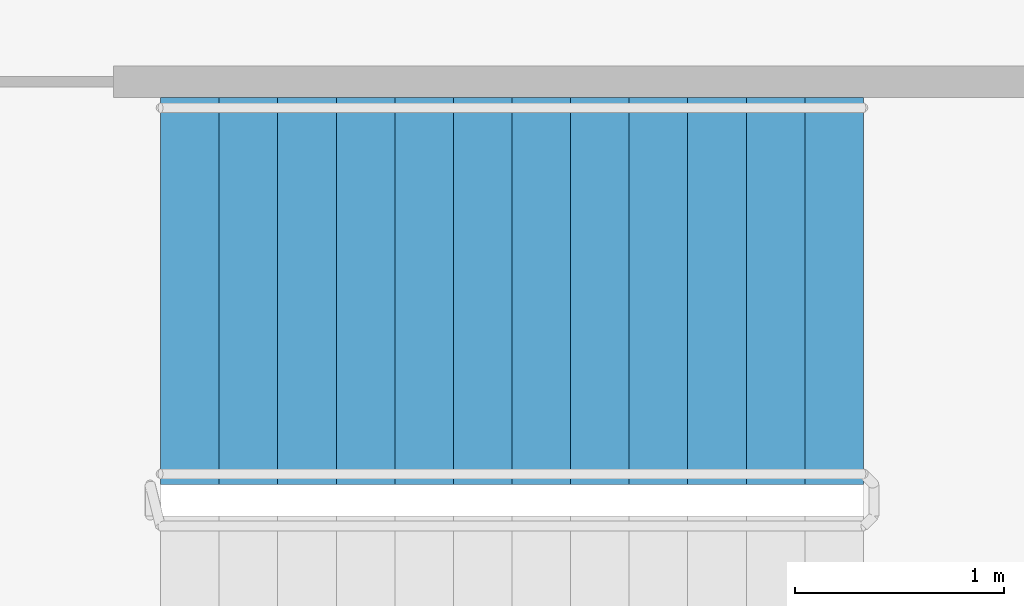
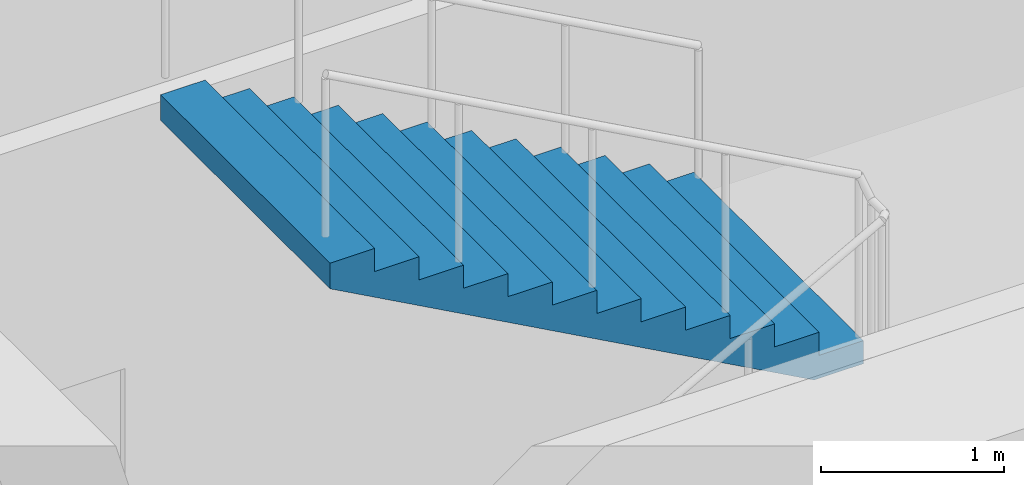
# One storey, part 8 of 10: 1 stair flight, 1 element without a shape of its own.
"""IFC4 building model written with IfcOpenShell, lengths in metres."""

from ifc_helpers import new_model, si_unit, direction, frame, origin, place, context, subcontext, project, spatial, polyline, outline, extrude, material, type_object, element, aggregate, save


model = new_model("IFC4")

# Units and contexts
model_context = context("Model", 3, precision=1e-05, world=origin(), true_north=direction((0.0, 1.0)))
body_context = subcontext(model_context, "Body", "Model", "MODEL_VIEW")
ifc_project = project(units=[si_unit("LENGTHUNIT", "METRE"), si_unit("AREAUNIT", "SQUARE_METRE"), si_unit("VOLUMEUNIT", "CUBIC_METRE"), si_unit("PLANEANGLEUNIT", "RADIAN"), si_unit("MASSUNIT", "GRAM", prefix="KILO")], contexts=[model_context])

# Site, building, storey
site_placement = place(None, origin())
site = spatial("IfcSite", under=ifc_project, at=site_placement, CompositionType="ELEMENT")
building_placement = place(site_placement, origin())
building = spatial("IfcBuilding", under=site, at=building_placement, Name="Zellij Exchange Tower", CompositionType="ELEMENT")
storey_placement = place(building_placement, frame((0.0, 0.0, 124.5)))
storey = spatial("IfcBuildingStorey", under=building, at=storey_placement, Name="L27", CompositionType="ELEMENT", Elevation=124.5)

# Stair, stair flight
ifc_material = material(Name="Concrete C40/50", Category="concrete")
stair_type = type_object("IfcStairType", Name="CORE-ST exit stair 1850 wide", PredefinedType="HALF_TURN_STAIR", material=ifc_material)
stair_placement = place(storey_placement, origin())
stair = element("IfcStair", 1, at=stair_placement, inside=storey, type_object=stair_type, Name="L27 exit stair ST4", PredefinedType="HALF_TURN_STAIR")
stair_flight_type = type_object("IfcStairFlightType", Name="CORE-SF flight 1850 riser 153.8 going 280", PredefinedType="STRAIGHT", material=ifc_material)
stair_flight_placement = place(storey_placement, frame((23.510009765625, -9.875, 2.0), z_axis=(0.0, 0.0, 1.0), x_axis=(-1.0, 0.0, 0.0)))
stair_flight = element("IfcStairFlight", 2, at=stair_flight_placement, type_object=stair_flight_type, Name="ST4 flight 2", NumberOfRisers=13, NumberOfTreads=12, PredefinedType="STRAIGHT", RiserHeight=0.153846154, TreadLength=0.28, context=body_context, shape_type="SweptSolid", body=[
    extrude(outline(polyline([(0.0, 0.0), (0.0, 0.15380859375), (0.280029296875, 0.15380859375), (0.280029296875, 0.3076171875), (0.56005859375, 0.3076171875), (0.56005859375, 0.46142578125), (0.840087890625, 0.46142578125), (0.840087890625, 0.615478515625), (1.1201171875, 0.615478515625), (1.1201171875, 0.769287109375), (1.39990234375, 0.769287109375), (1.39990234375, 0.923095703125), (1.679931640625, 0.923095703125), (1.679931640625, 1.076904296875), (1.9599609375, 1.076904296875), (1.9599609375, 1.230712890625), (2.239990234375, 1.230712890625), (2.239990234375, 1.384521484375), (2.52001953125, 1.384521484375), (2.52001953125, 1.53857421875), (2.800048828125, 1.53857421875), (2.800048828125, 1.6923828125), (3.080078125, 1.6923828125), (3.080078125, 1.84619140625), (3.360107421875, 1.84619140625), (3.360107421875, 2.0), (3.360107421875, 1.675048828125), (0.311279296875, 0.0), (0.0, 0.0)])), frame((0.0, 0.925048828125, 0.0), z_axis=(0.0, -1.0, 0.0), x_axis=(1.0, 0.0, 0.0)), (0.0, 0.0, 1.0), 1.85009765625),
])
aggregate(stair, [stair_flight])

save(model, "model.ifc")
